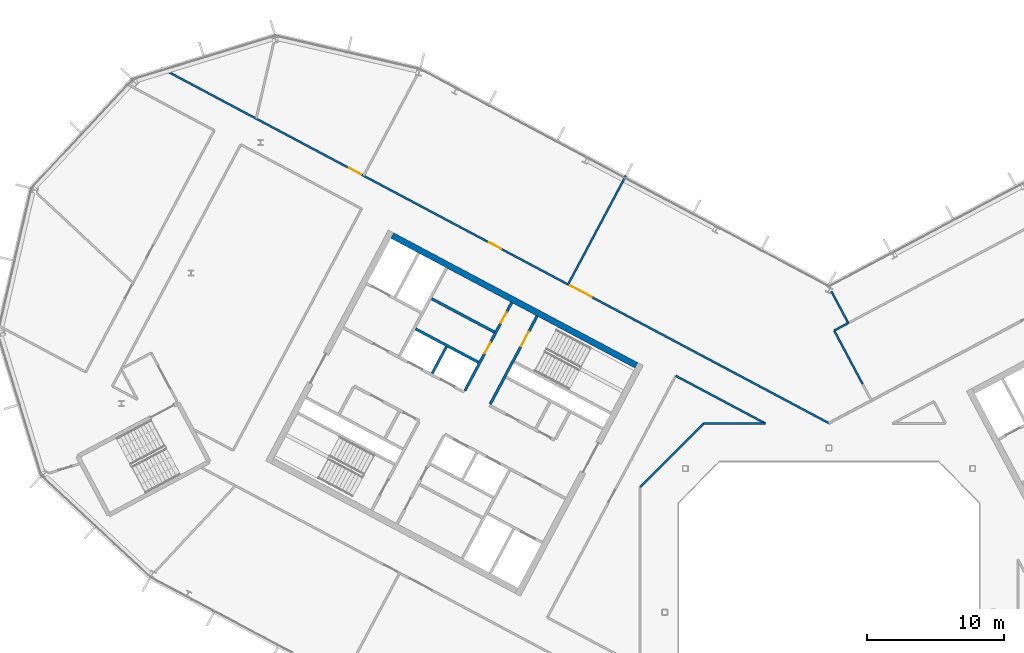
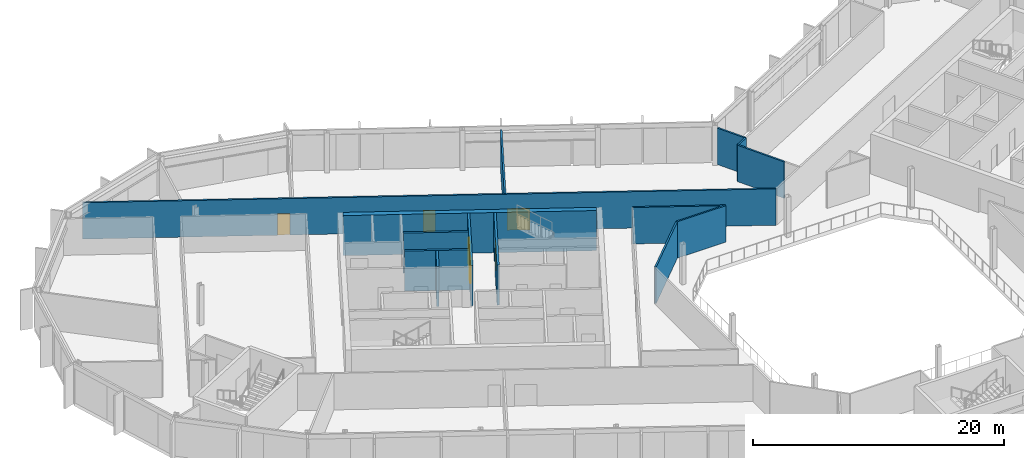
# One storey, part 14 of 25: 14 walls, 6 doors, 6 openings.
"""IFC4 building model written with IfcOpenShell, lengths in metres."""

import ifcopenshell
import ifcopenshell.guid

model = None  # the IFC model being written
_history = None  # IfcOwnerHistory: only IFC2X3 demands one
_inside = {}  # id of a spatial element -> (the spatial element, [elements in it])
_under = {}  # id of a project, library or spatial element -> (it, [spatial elements below it])
_declared = {}  # id of a project -> (the project, [libraries it declares])
_typed = {}  # id of a type object -> (the type object, [elements of that type])
_made_of = {}  # id of a material, layer set ... -> (it, [elements and type objects made of it])


def new_model(schema):
    """Start an empty IFC model of exactly this schema.

    Asked for "IFC4X3", IfcOpenShell would pick the latest addendum, in which some entities
    have other attributes; the version numbers below select the first issue.
    IFC2X3 requires an IfcOwnerHistory on every rooted entity: one is made here for all.
    """
    global model, _history
    if schema == "IFC4X3":
        model = ifcopenshell.file(schema_version=(4, 3, 0, 0))
    else:
        model = ifcopenshell.file(schema=schema)
    _inside.clear()
    _under.clear()
    _declared.clear()
    _typed.clear()
    _made_of.clear()
    _history = None
    if model.schema == "IFC2X3":
        org = make("IfcOrganization", Name="unknown")
        user = make(
            "IfcPersonAndOrganization",
            ThePerson=make("IfcPerson", FamilyName="unknown"),
            TheOrganization=org,
        )
        app = make(
            "IfcApplication",
            ApplicationDeveloper=org,
            Version="unknown",
            ApplicationFullName="unknown",
            ApplicationIdentifier="unknown",
        )
        _history = make(
            "IfcOwnerHistory",
            OwningUser=user,
            OwningApplication=app,
            ChangeAction="ADDED",
            CreationDate=0,
        )
    return model


def make(cls, **values):
    """One entity of the class cls with the attributes given. An attribute that is None is left unset."""
    return model.create_entity(
        cls, **{name: value for name, value in values.items() if value is not None}
    )


def rooted(cls, **values):
    """An entity with a GlobalId (a new one), such as an element, a storey or a relation."""
    return make(cls, GlobalId=ifcopenshell.guid.new(), OwnerHistory=_history, **values)


def si_unit(unit_type, name, prefix=None):
    """IfcSIUnit, for example si_unit("LENGTHUNIT", "METRE", prefix="MILLI")."""
    return make("IfcSIUnit", UnitType=unit_type, Prefix=prefix, Name=name)


def assignment(units):
    """IfcUnitAssignment: the units of a project."""
    return None if units is None else make("IfcUnitAssignment", Units=units)


def point(xyz):
    """IfcCartesianPoint."""
    return None if xyz is None else make("IfcCartesianPoint", Coordinates=xyz)


def direction(xyz):
    """IfcDirection."""
    return None if xyz is None else make("IfcDirection", DirectionRatios=xyz)


def frame(location, z_axis=None, x_axis=None):
    """IfcAxis2Placement3D, a coordinate frame: its origin and axes. An axis left out is left unset."""
    return make(
        "IfcAxis2Placement3D",
        Location=point(location),
        Axis=direction(z_axis),
        RefDirection=direction(x_axis),
    )


def frame_2d(location, x_axis=None):
    """IfcAxis2Placement2D, a coordinate frame in the plane: its origin and x axis."""
    return make(
        "IfcAxis2Placement2D", Location=point(location), RefDirection=direction(x_axis)
    )


def origin():
    """The frame at (0, 0, 0) with its axes left unset."""
    return frame((0.0, 0.0, 0.0))


def place(relative_to, where):
    """IfcLocalPlacement: puts the frame where relative to a parent placement (None: the world)."""
    return make(
        "IfcLocalPlacement", PlacementRelTo=relative_to, RelativePlacement=where
    )


def context(
    kind, dimensions, precision=None, world=None, true_north=None, identifier=None
):
    """IfcGeometricRepresentationContext, for example the 3D "Model" context."""
    return make(
        "IfcGeometricRepresentationContext",
        ContextIdentifier=identifier,
        ContextType=kind,
        CoordinateSpaceDimension=dimensions,
        Precision=precision,
        WorldCoordinateSystem=world,
        TrueNorth=true_north,
    )


def subcontext(parent, identifier, kind, view, scale=None):
    """IfcGeometricRepresentationSubContext, for example "Body" below "Model"."""
    return make(
        "IfcGeometricRepresentationSubContext",
        ContextIdentifier=identifier,
        ContextType=kind,
        ParentContext=parent,
        TargetScale=scale,
        TargetView=view,
    )


def project(units=None, contexts=None):
    """IfcProject with its units and contexts."""
    return rooted(
        "IfcProject",
        Name="project",
        RepresentationContexts=contexts,
        UnitsInContext=assignment(units),
    )


def spatial(cls, under=None, at=None, **own):
    """A site, building, storey or space (cls), placed at a placement, below another one or the project."""
    s = rooted(cls, ObjectPlacement=at, **own)
    if under is not None:
        _under.setdefault(under.id(), (under, []))[1].append(s)
    return s


def profile(cls, at=None, kind="AREA", **sizes):
    """A parametric profile (cls). Its sizes go by their IFC names, for example OverallWidth=200.0."""
    return make(cls, ProfileType=kind, Position=at, **sizes)


def rectangle(**sizes):
    """IfcRectangleProfileDef."""
    return profile("IfcRectangleProfileDef", **sizes)


def extrude(swept, where, along, depth):
    """IfcExtrudedAreaSolid: the profile swept, set in the frame where, extruded along a direction by depth."""
    return make(
        "IfcExtrudedAreaSolid",
        SweptArea=swept,
        Position=where,
        ExtrudedDirection=direction(along),
        Depth=depth,
    )


def shape(context_of_items, identifier, shape_type, items):
    """IfcShapeRepresentation: the items that make up one representation, for example the "Body"."""
    return make(
        "IfcShapeRepresentation",
        ContextOfItems=context_of_items,
        RepresentationIdentifier=identifier,
        RepresentationType=shape_type,
        Items=items,
    )


def material(Name=None, Category=None):
    """IfcMaterial."""
    return make("IfcMaterial", Name=Name, Category=Category)


def layer(
    of_material, thickness, ventilated=None, Name=None, Category=None, Priority=None
):
    """IfcMaterialLayer: one layer of a wall or slab, of a material (None: an air gap)."""
    return make(
        "IfcMaterialLayer",
        Material=of_material,
        LayerThickness=thickness,
        IsVentilated=ventilated,
        Name=Name,
        Category=Category,
        Priority=Priority,
    )


def layer_set(layers, Name=None):
    """IfcMaterialLayerSet."""
    return make("IfcMaterialLayerSet", MaterialLayers=layers, LayerSetName=Name)


def made_of(thing, what):
    """Note that an element or type object is made of a material, layer set ...; save() writes the relation."""
    if what is not None:
        _made_of.setdefault(what.id(), (what, []))[1].append(thing)
    return thing


def type_object(cls, material=None, **own):
    """A type object (cls), such as IfcWallType, which elements share."""
    return made_of(rooted(cls, **own), material)


def element(
    cls,
    number,
    at=None,
    inside=None,
    cuts=None,
    type_object=None,
    material=None,
    context=None,
    identifier="Body",
    shape_type=None,
    held_by="IfcProductDefinitionShape",
    body=None,
    shapes=None,
    **own,
):
    """One element of the class cls, such as IfcWall. Its Tag is "e" and its number.

    at: its placement. inside: the storey or other place that contains it. cuts: it is an
    opening in that element (IfcRelVoidsElement). A single representation is given by context,
    identifier, shape_type and body (its items); several are given by shapes. held_by: the class
    of the entity that holds the representations. save() writes the other relations.
    """
    e = rooted(cls, Tag="e%d" % number, ObjectPlacement=at, **own)
    if body is not None:
        shapes = [shape(context, identifier, shape_type, body)]
    if shapes is not None:
        e.Representation = make(held_by, Representations=shapes)
    if inside is not None:
        _inside.setdefault(inside.id(), (inside, []))[1].append(e)
    if cuts is not None:
        rooted(
            "IfcRelVoidsElement", RelatingBuildingElement=cuts, RelatedOpeningElement=e
        )
    if type_object is not None:
        _typed.setdefault(type_object.id(), (type_object, []))[1].append(e)
    return made_of(e, material)


def fill(opening, filler):
    """IfcRelFillsElement: the door or window that sits in an opening."""
    return rooted(
        "IfcRelFillsElement",
        RelatingOpeningElement=opening,
        RelatedBuildingElement=filler,
    )


def aggregate(whole, parts):
    """IfcRelAggregates: a whole, such as a stair, and the parts it consists of."""
    return rooted("IfcRelAggregates", RelatingObject=whole, RelatedObjects=parts)


def save(model, path):
    """Write the relations noted so far, then the file.

    IfcRelAggregates (storeys below a building ...), IfcRelContainedInSpatialStructure (elements
    in a storey), IfcRelDefinesByType, IfcRelAssociatesMaterial and IfcRelDeclares: one each for
    every whole, place, type object, material and project.
    """
    for whole, parts in _under.values():
        aggregate(whole, parts)
    for where, things in _inside.values():
        rooted(
            "IfcRelContainedInSpatialStructure",
            RelatedElements=things,
            RelatingStructure=where,
        )
    for kind, things in _typed.values():
        rooted("IfcRelDefinesByType", RelatedObjects=things, RelatingType=kind)
    for what, things in _made_of.values():
        rooted("IfcRelAssociatesMaterial", RelatedObjects=things, RelatingMaterial=what)
    for by, libraries in _declared.values():
        rooted("IfcRelDeclares", RelatingContext=by, RelatedDefinitions=libraries)
    model.write(path)


model = new_model("IFC4")

# Units and contexts
model_context = context("Model", 3, precision=1e-05, world=origin(), true_north=direction((0.0, 1.0)))
body_context = subcontext(model_context, "Body", "Model", "MODEL_VIEW")
ifc_project = project(units=[si_unit("LENGTHUNIT", "METRE"), si_unit("AREAUNIT", "SQUARE_METRE"), si_unit("VOLUMEUNIT", "CUBIC_METRE"), si_unit("PLANEANGLEUNIT", "RADIAN"), si_unit("MASSUNIT", "GRAM", prefix="KILO")], contexts=[model_context])

# Site, building, storey
site_placement = place(None, origin())
site = spatial("IfcSite", under=ifc_project, at=site_placement, CompositionType="ELEMENT")
building_placement = place(site_placement, origin())
building = spatial("IfcBuilding", under=site, at=building_placement, Name="Cormorant Relay Tower", CompositionType="ELEMENT")
storey_placement = place(building_placement, frame((0.0, 0.0, 281.39990234375)))
storey = spatial("IfcBuildingStorey", under=building, at=storey_placement, Name="L63", CompositionType="ELEMENT", Elevation=281.39990234375)

# Walls
ifc_material_1 = material(Name="Concrete 40 MPa", Category="concrete")
ifc_layer_1 = layer(ifc_material_1, 0.199951171875)
ifc_layer_set_1 = layer_set([ifc_layer_1], Name="Core internal wall 200")
wall_type_1 = type_object("IfcWallType", Name="Core internal wall 200", PredefinedType="SOLIDWALL", material=ifc_layer_set_1)
wall_1_placement = place(storey_placement, frame((-27.9658203125, 19.39990234375, 0.0), z_axis=(0.0, 0.0, 1.0), x_axis=(-0.4694473164, -0.882960484464, 0.0)))
element("IfcWall", 1, at=wall_1_placement, inside=storey, type_object=wall_type_1, Name="L63 core A shaft and room wall", PredefinedType="SOLIDWALL", context=body_context, shape_type="SweptSolid", body=[
    extrude(rectangle(XDim=2.199951171875, YDim=0.199951171875, at=frame_2d((1.10009765625, 0.0))), origin(), (0.0, 0.0, 1.0), 3.900146484375),
])
wall_2_placement = place(storey_placement, frame((-24.449462890625, 20.474853515625, 0.0), z_axis=(0.0, 0.0, 1.0), x_axis=(-0.882934506056, 0.469496174655, 0.0)))
element("IfcWall", 2, at=wall_2_placement, inside=storey, type_object=wall_type_1, Name="L63 core A shaft and room wall", PredefinedType="SOLIDWALL", context=body_context, shape_type="SweptSolid", body=[
    extrude(rectangle(XDim=5.199951171875, YDim=0.199951171875, at=frame_2d((2.60009765625, 0.0))), origin(), (0.0, 0.0, 1.0), 3.900146484375),
])

# Wall, opening, door
ifc_material_2 = material(Name="Concrete 50 MPa", Category="concrete")
ifc_layer_2 = layer(ifc_material_2, 0.199951171875)
ifc_layer_set_2 = layer_set([ifc_layer_2], Name="Core shaft wall 200")
wall_type_2 = type_object("IfcWallType", Name="Core shaft wall 200", PredefinedType="SHEAR", material=ifc_layer_set_2)
wall_3_placement = place(storey_placement, frame((-21.333251953125, 21.6494140625, 0.0), z_axis=(0.0, 0.0, 1.0), x_axis=(-0.469494272526, -0.882935517501, 0.0)))
wall_3 = element("IfcWall", 3, at=wall_3_placement, inside=storey, type_object=wall_type_2, Name="L63 core A shaft wall", PredefinedType="SHEAR", context=body_context, shape_type="SweptSolid", body=[
    extrude(rectangle(XDim=7.2998046875, YDim=0.199951171875, at=frame_2d((3.64990234375, 0.0))), origin(), (0.0, 0.0, 1.0), 3.900146484375),
])
opening_1_placement = place(wall_3_placement, frame((1.300048828125, 0.0, 0.0)))
opening_1 = element("IfcOpeningElement", 4, at=opening_1_placement, cuts=wall_3, Name="Opening CDB-038", PredefinedType="OPENING", context=body_context, shape_type="SweptSolid", body=[
    extrude(rectangle(XDim=1.199951171875, YDim=2.10009765625, at=frame_2d((0.60009765625, 1.050048828125))), frame((0.0, 0.10986328125, 0.0), z_axis=(0.0, -1.0, 0.0), x_axis=(1.0, 0.0, 0.0)), (0.0, 0.0, 1.0), 0.219970703125),
])
ifc_material_3 = material(Name="Steel fire door", Category="steel")
door_type_1 = type_object("IfcDoorType", Name="Core stair door 1200x2100", OperationType="SINGLE_SWING_LEFT", PredefinedType="DOOR", material=ifc_material_3)
door_1_placement = place(opening_1_placement, origin())
door_1 = element("IfcDoor", 5, at=door_1_placement, inside=storey, type_object=door_type_1, Name="Core stair door 1200x2100", OperationType="SINGLE_SWING_RIGHT", OverallHeight=2.10009765625, OverallWidth=1.199951171875, PredefinedType="DOOR", context=body_context, shape_type="SweptSolid", body=[
    extrude(rectangle(XDim=1.199951171875, YDim=2.10009765625, at=frame_2d((0.60009765625, 1.050048828125))), frame((0.0, 0.02490234375, 0.0), z_axis=(0.0, -1.0, 0.0), x_axis=(1.0, 0.0, 0.0)), (0.0, 0.0, 1.0), 0.050048828125),
])
fill(opening_1, door_1)

# Wall, openings, doors
wall_4_placement = place(storey_placement, frame((-23.1875, 22.635498046875, 0.0), z_axis=(0.0, 0.0, 1.0), x_axis=(-0.469454336211, -0.882956752176, 0.0)))
wall_4 = element("IfcWall", 6, at=wall_4_placement, inside=storey, type_object=wall_type_2, Name="L63 core A shaft wall", PredefinedType="SHEAR", context=body_context, shape_type="SweptSolid", body=[
    extrude(rectangle(XDim=7.300048828125, YDim=0.199951171875, at=frame_2d((3.64990234375, 0.0))), origin(), (0.0, 0.0, 1.0), 3.900146484375),
])
opening_2_placement = place(wall_4_placement, frame((0.800048828125, 0.0, 0.0)))
opening_2 = element("IfcOpeningElement", 7, at=opening_2_placement, cuts=wall_4, Name="Opening CDD-281", PredefinedType="OPENING", context=body_context, shape_type="SweptSolid", body=[
    extrude(rectangle(XDim=0.89990234375, YDim=2.10009765625, at=frame_2d((0.449951171875, 1.050048828125))), frame((0.0, 0.10986328125, 0.0), z_axis=(0.0, -1.0, 0.0), x_axis=(1.0, 0.0, 0.0)), (0.0, 0.0, 1.0), 0.219970703125),
])
opening_3_placement = place(wall_4_placement, frame((3.300048828125, 0.0, 0.0)))
opening_3 = element("IfcOpeningElement", 8, at=opening_3_placement, cuts=wall_4, Name="Opening CDD-282", PredefinedType="OPENING", context=body_context, shape_type="SweptSolid", body=[
    extrude(rectangle(XDim=0.89990234375, YDim=2.10009765625, at=frame_2d((0.449951171875, 1.050048828125))), frame((0.0, 0.10986328125, 0.0), z_axis=(0.0, -1.0, 0.0), x_axis=(1.0, 0.0, 0.0)), (0.0, 0.0, 1.0), 0.219970703125),
])
ifc_material_4 = material(Name="Steel fire door", Category="steel")
door_type_2 = type_object("IfcDoorType", Name="Core room door 900x2100", OperationType="SINGLE_SWING_LEFT", PredefinedType="DOOR", material=ifc_material_4)
door_2_placement = place(opening_2_placement, origin())
door_2 = element("IfcDoor", 9, at=door_2_placement, inside=storey, type_object=door_type_2, Name="Core room door 900x2100", OperationType="SINGLE_SWING_LEFT", OverallHeight=2.10009765625, OverallWidth=0.89990234375, PredefinedType="DOOR", context=body_context, shape_type="SweptSolid", body=[
    extrude(rectangle(XDim=0.89990234375, YDim=2.10009765625, at=frame_2d((0.449951171875, 1.050048828125))), frame((0.0, 0.02490234375, 0.0), z_axis=(0.0, -1.0, 0.0), x_axis=(1.0, 0.0, 0.0)), (0.0, 0.0, 1.0), 0.050048828125),
])
fill(opening_2, door_2)
door_3_placement = place(opening_3_placement, origin())
door_3 = element("IfcDoor", 10, at=door_3_placement, inside=storey, type_object=door_type_2, Name="Core room door 900x2100", OperationType="SINGLE_SWING_LEFT", OverallHeight=2.10009765625, OverallWidth=0.89990234375, PredefinedType="DOOR", context=body_context, shape_type="SweptSolid", body=[
    extrude(rectangle(XDim=0.89990234375, YDim=2.10009765625, at=frame_2d((0.449951171875, 1.050048828125))), frame((0.0, 0.02490234375, 0.0), z_axis=(0.0, -1.0, 0.0), x_axis=(1.0, 0.0, 0.0)), (0.0, 0.0, 1.0), 0.050048828125),
])
fill(opening_3, door_3)

# Walls
wall_5_placement = place(storey_placement, frame((-25.623046875, 18.267578125, 0.0), z_axis=(0.0, 0.0, 1.0), x_axis=(-0.882953967957, 0.469459572775, 0.0)))
element("IfcWall", 11, at=wall_5_placement, inside=storey, type_object=wall_type_2, Name="L63 core A shaft wall", PredefinedType="SHEAR", context=body_context, shape_type="SweptSolid", body=[
    extrude(rectangle(XDim=5.199951171875, YDim=0.199951171875, at=frame_2d((2.60009765625, 0.0))), origin(), (0.0, 0.0, 1.0), 3.900146484375),
])
ifc_material_5 = material(Name="Concrete 50 MPa", Category="concrete")
ifc_layer_3 = layer(ifc_material_5, 0.449951171875)
ifc_layer_set_3 = layer_set([ifc_layer_3], Name="Core wall 450")
wall_type_3 = type_object("IfcWallType", Name="Core wall 450", PredefinedType="SHEAR", material=ifc_layer_set_3)
wall_6_placement = place(storey_placement, frame((-14.07568359375, 18.04541015625, 0.0), z_axis=(0.0, 0.0, 1.0), x_axis=(-0.882947755831, 0.46947125628, 0.0)))
element("IfcWall", 12, at=wall_6_placement, inside=storey, type_object=wall_type_3, Name="L63 core A wall", PredefinedType="SHEAR", context=body_context, shape_type="SweptSolid", body=[
    extrude(rectangle(XDim=20.2001953125, YDim=0.449951171875, at=frame_2d((10.10009765625, 0.0))), origin(), (0.0, 0.0, 1.0), 3.900146484375),
])

# Wall, openings, doors
ifc_material_6 = material(Name="Gypsum board fire partition")
ifc_layer_4 = layer(ifc_material_6, 0.14990234375)
ifc_layer_set_4 = layer_set([ifc_layer_4], Name="Corridor partition 150 EI 60")
wall_type_4 = type_object("IfcWallType", Name="Corridor partition 150 EI 60", PredefinedType="PARTITIONING", material=ifc_layer_set_4)
wall_7_placement = place(storey_placement, frame((-48.81201171875, 39.77099609375, 0.0), z_axis=(0.0, 0.0, 1.0), x_axis=(0.882945384259, -0.469475716535, 0.0)))
wall_7 = element("IfcWall", 13, at=wall_7_placement, inside=storey, type_object=wall_type_4, Name="wall/L63/part/008", PredefinedType="PARTITIONING", context=body_context, shape_type="SweptSolid", body=[
    extrude(rectangle(XDim=55.283203125, YDim=0.14990234375, at=frame_2d((27.6416015625, 0.0))), origin(), (0.0, 0.0, 1.0), 3.5400390625),
])
opening_4_placement = place(wall_7_placement, frame((33.85009765625, 0.0, 0.0)))
opening_4 = element("IfcOpeningElement", 14, at=opening_4_placement, cuts=wall_7, Name="Opening DD-039", PredefinedType="OPENING", context=body_context, shape_type="SweptSolid", body=[
    extrude(rectangle(XDim=1.800048828125, YDim=2.10009765625, at=frame_2d((0.89990234375, 1.050048828125))), frame((0.0, 0.0849609375, 0.0), z_axis=(0.0, -1.0, 0.0), x_axis=(1.0, 0.0, 0.0)), (0.0, 0.0, 1.0), 0.169921875),
])
opening_5_placement = place(wall_7_placement, frame((27.14990234375, 0.0, 0.0)))
opening_5 = element("IfcOpeningElement", 15, at=opening_5_placement, cuts=wall_7, Name="Opening DS-162", PredefinedType="OPENING", context=body_context, shape_type="SweptSolid", body=[
    extrude(rectangle(XDim=1.0, YDim=2.10009765625, at=frame_2d((0.5, 1.050048828125))), frame((0.0, 0.0849609375, 0.0), z_axis=(0.0, -1.0, 0.0), x_axis=(1.0, 0.0, 0.0)), (0.0, 0.0, 1.0), 0.169921875),
])
opening_6_placement = place(wall_7_placement, frame((15.550048828125, 0.0, 0.0)))
opening_6 = element("IfcOpeningElement", 16, at=opening_6_placement, cuts=wall_7, Name="Opening DS-164", PredefinedType="OPENING", context=body_context, shape_type="SweptSolid", body=[
    extrude(rectangle(XDim=1.0, YDim=2.10009765625, at=frame_2d((0.5, 1.050048828125))), frame((0.0, 0.0849609375, 0.0), z_axis=(0.0, -1.0, 0.0), x_axis=(1.0, 0.0, 0.0)), (0.0, 0.0, 1.0), 0.169921875),
])
ifc_material_7 = material(Name="Timber door leaf", Category="wood")
door_type_3 = type_object("IfcDoorType", Name="Suite door 1000x2100", OperationType="SINGLE_SWING_LEFT", PredefinedType="DOOR", material=ifc_material_7)
door_4_placement = place(opening_5_placement, origin())
door_4 = element("IfcDoor", 17, at=door_4_placement, inside=storey, type_object=door_type_3, Name="door/L63/014", OperationType="SINGLE_SWING_RIGHT", OverallHeight=2.10009765625, OverallWidth=1.0, PredefinedType="DOOR", context=body_context, shape_type="SweptSolid", body=[
    extrude(rectangle(XDim=1.0, YDim=2.10009765625, at=frame_2d((0.5, 1.050048828125))), frame((0.0, 0.02490234375, 0.0), z_axis=(0.0, -1.0, 0.0), x_axis=(1.0, 0.0, 0.0)), (0.0, 0.0, 1.0), 0.050048828125),
])
fill(opening_5, door_4)
door_5_placement = place(opening_6_placement, origin())
door_5 = element("IfcDoor", 18, at=door_5_placement, inside=storey, type_object=door_type_3, Name="door/L63/015", OperationType="SINGLE_SWING_RIGHT", OverallHeight=2.10009765625, OverallWidth=1.0, PredefinedType="DOOR", context=body_context, shape_type="SweptSolid", body=[
    extrude(rectangle(XDim=1.0, YDim=2.10009765625, at=frame_2d((0.5, 1.050048828125))), frame((0.0, 0.02490234375, 0.0), z_axis=(0.0, -1.0, 0.0), x_axis=(1.0, 0.0, 0.0)), (0.0, 0.0, 1.0), 0.050048828125),
])
fill(opening_6, door_5)
ifc_material_8 = material(Name="Timber door leaf", Category="wood")
door_type_4 = type_object("IfcDoorType", Name="Suite double door 1800x2100", OperationType="DOUBLE_DOOR_SINGLE_SWING", PredefinedType="DOOR", material=ifc_material_8)
door_6_placement = place(opening_4_placement, origin())
door_6 = element("IfcDoor", 19, at=door_6_placement, inside=storey, type_object=door_type_4, Name="door/L63/013", OperationType="DOUBLE_DOOR_SINGLE_SWING", OverallHeight=2.10009765625, OverallWidth=1.800048828125, PredefinedType="DOOR", context=body_context, shape_type="SweptSolid", body=[
    extrude(rectangle(XDim=1.800048828125, YDim=2.10009765625, at=frame_2d((0.89990234375, 1.050048828125))), frame((0.0, 0.02490234375, 0.0), z_axis=(0.0, -1.0, 0.0), x_axis=(1.0, 0.0, 0.0)), (0.0, 0.0, 1.0), 0.050048828125),
])
fill(opening_4, door_6)

# Walls
wall_8_placement = place(storey_placement, frame((-11.197998046875, 17.280029296875, 0.0), z_axis=(0.0, 0.0, 1.0), x_axis=(0.88294849999, -0.469469856717, 0.0)))
element("IfcWall", 20, at=wall_8_placement, inside=storey, type_object=wall_type_4, Name="wall/L63/part/047", PredefinedType="PARTITIONING", context=body_context, shape_type="SweptSolid", body=[
    extrude(rectangle(XDim=7.41259765625, YDim=0.14990234375, at=frame_2d((3.706298828125, 0.0))), origin(), (0.0, 0.0, 1.0), 3.5400390625),
])
wall_9_placement = place(storey_placement, frame((-4.653076171875, 13.800048828125, 0.0), z_axis=(0.0, 0.0, 1.0), x_axis=(-1.0, 0.0, 0.0)))
element("IfcWall", 21, at=wall_9_placement, inside=storey, type_object=wall_type_4, Name="wall/L63/part/048", PredefinedType="PARTITIONING", context=body_context, shape_type="SweptSolid", body=[
    extrude(rectangle(XDim=4.5068359375, YDim=0.14990234375, at=frame_2d((2.25341796875, 0.0))), origin(), (0.0, 0.0, 1.0), 3.5400390625),
])
wall_10_placement = place(storey_placement, frame((-9.159912109375, 13.800048828125, 0.0), z_axis=(0.0, 0.0, 1.0), x_axis=(-0.707106781187, -0.707106781187, 0.0)))
element("IfcWall", 22, at=wall_10_placement, inside=storey, type_object=wall_type_4, Name="wall/L63/part/049", PredefinedType="PARTITIONING", context=body_context, shape_type="SweptSolid", body=[
    extrude(rectangle(XDim=6.562255859375, YDim=0.14990234375, at=frame_2d((3.28125, 0.0))), origin(), (0.0, 0.0, 1.0), 3.5400390625),
])
ifc_material_9 = material(Name="Gypsum board partition")
ifc_layer_5 = layer(ifc_material_9, 0.14990234375)
ifc_layer_set_5 = layer_set([ifc_layer_5], Name="Tenant partition 150")
wall_type_5 = type_object("IfcWallType", Name="Tenant partition 150", PredefinedType="PARTITIONING", material=ifc_layer_set_5)
wall_11_placement = place(storey_placement, frame((-14.843994140625, 31.903076171875, 0.0), z_axis=(0.0, 0.0, 1.0), x_axis=(-0.469351570135, -0.883011383625, 0.0)))
element("IfcWall", 23, at=wall_11_placement, inside=storey, type_object=wall_type_5, Name="wall/L63/part/019", PredefinedType="PARTITIONING", context=body_context, shape_type="SweptSolid", body=[
    extrude(rectangle(XDim=9.0, YDim=0.14990234375, at=frame_2d((4.5, 0.0))), origin(), (0.0, 0.0, 1.0), 3.5400390625),
])
wall_12_placement = place(storey_placement, frame((0.178955078125, 23.449951171875, 0.0), z_axis=(0.0, 0.0, 1.0), x_axis=(0.469205161074, -0.883089189619, 0.0)))
element("IfcWall", 24, at=wall_12_placement, inside=storey, type_object=wall_type_5, Name="wall/L63/part/027", PredefinedType="PARTITIONING", context=body_context, shape_type="SweptSolid", body=[
    extrude(rectangle(XDim=2.621337890625, YDim=0.14990234375, at=frame_2d((1.310546875, 0.0))), origin(), (0.0, 0.0, 1.0), 3.5400390625),
])
wall_13_placement = place(storey_placement, frame((2.450927734375, 16.69091796875, 0.0), z_axis=(0.0, 0.0, 1.0), x_axis=(-0.469465268903, 0.882950939347, 0.0)))
element("IfcWall", 25, at=wall_13_placement, inside=storey, type_object=wall_type_5, Name="wall/L63/part/030", PredefinedType="PARTITIONING", context=body_context, shape_type="SweptSolid", body=[
    extrude(rectangle(XDim=4.41357421875, YDim=0.14990234375, at=frame_2d((2.206787109375, 0.0))), origin(), (0.0, 0.0, 1.0), 3.5400390625),
])
wall_14_placement = place(storey_placement, frame((1.405029296875, 21.133056640625, 0.0), z_axis=(0.0, 0.0, 1.0), x_axis=(-0.882753784089, -0.469835882704, 0.0)))
element("IfcWall", 26, at=wall_14_placement, inside=storey, type_object=wall_type_5, Name="wall/L63/part/031", PredefinedType="PARTITIONING", context=body_context, shape_type="SweptSolid", body=[
    extrude(rectangle(XDim=1.162353515625, YDim=0.14990234375, at=frame_2d((0.5810546875, 0.0))), origin(), (0.0, 0.0, 1.0), 3.5400390625),
])

save(model, "model.ifc")
